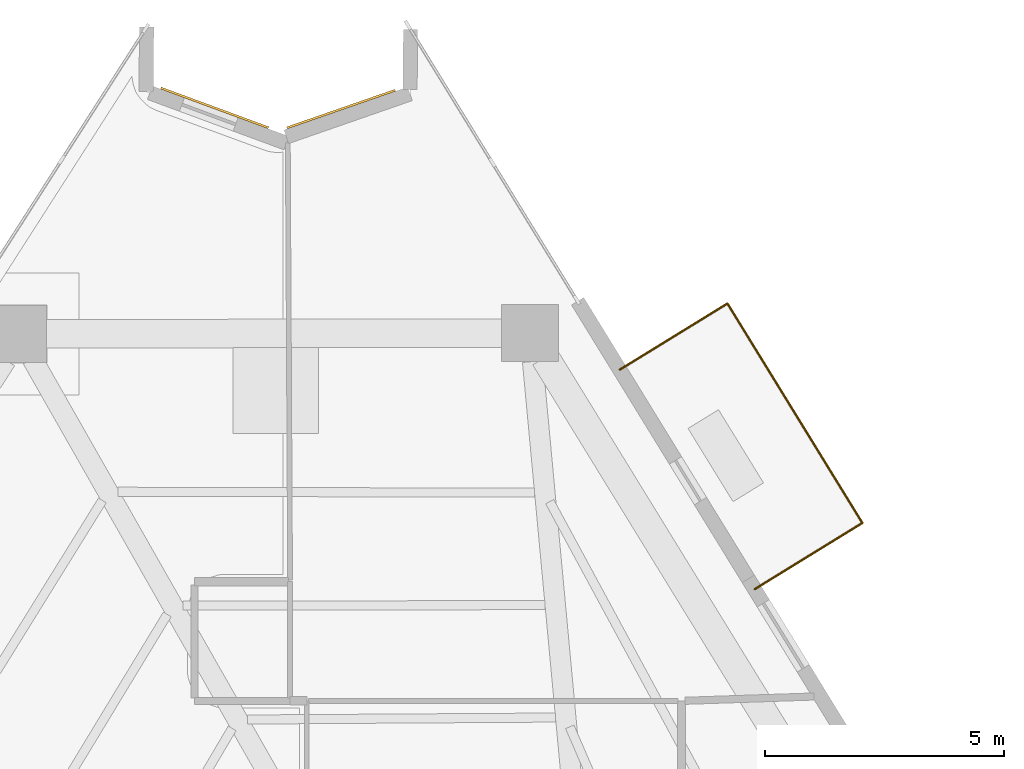
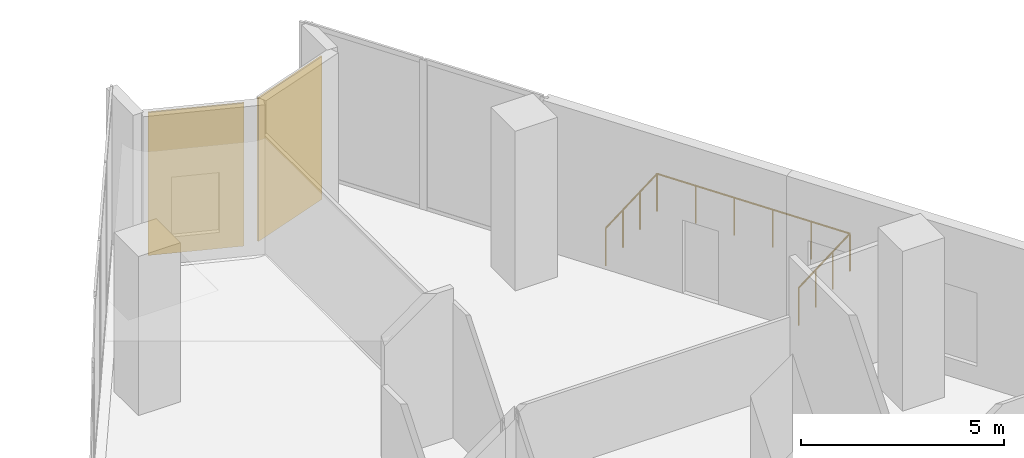
# One storey, part 13 of 13: 2 coverings, 1 railing.
"""IFC4 building model written with IfcOpenShell, lengths in metres."""

from ifc_helpers import new_model, si_unit, direction, frame, origin, origin_2d, place, context, subcontext, project, spatial, rectangle, circle, extrude, material, layer, layer_set, type_object, element, save


model = new_model("IFC4")

# Units and contexts
model_context = context("Model", 3, precision=1e-05, world=origin(), true_north=direction((0.0, 1.0)))
body_context = subcontext(model_context, "Body", "Model", "MODEL_VIEW")
ifc_project = project(units=[si_unit("LENGTHUNIT", "METRE"), si_unit("AREAUNIT", "SQUARE_METRE"), si_unit("VOLUMEUNIT", "CUBIC_METRE"), si_unit("PLANEANGLEUNIT", "RADIAN"), si_unit("MASSUNIT", "GRAM", prefix="KILO")], contexts=[model_context])

# Site, building, storey
site_placement = place(None, origin())
site = spatial("IfcSite", under=ifc_project, at=site_placement, CompositionType="ELEMENT")
building_placement = place(site_placement, origin())
building = spatial("IfcBuilding", under=site, at=building_placement, Name="Almagre Mirador Tower", CompositionType="ELEMENT")
storey_placement = place(building_placement, frame((0.0, 0.0, 100.199951171875)))
storey = spatial("IfcBuildingStorey", under=building, at=storey_placement, Name="L25", CompositionType="ELEMENT", Elevation=100.199951171875)

# Coverings
ifc_material_1 = material(Name="Almagre terracotta architectural cladding", Category="masonry")
ifc_layer = layer(ifc_material_1, 0.044921875)
ifc_layer_set = layer_set([ifc_layer], Name="Almagre terracotta architectural cladding")
covering_type = type_object("IfcCoveringType", Name="COV-CLAD-ALMAGRE", PredefinedType="CLADDING", material=ifc_layer_set)
for number, where, z_axis, x_axis, name in (
    (1, (35.21923828125, 41.92578125, 0.10009765625), (0.0, 0.0, 1.0), (0.938233615096, -0.3460024328, 0.0), "L25 almagre terracotta pier cladding"),
    (2, (37.867431640625, 41.90087890625, 0.10009765625), (0.0, 0.0, 1.0), (0.944588546124, 0.328256726558, 0.0), "L25 almagre terracotta pier cladding"),
):
    element("IfcCovering", number, at=place(storey_placement, frame(where, z_axis=z_axis, x_axis=x_axis)), inside=storey, type_object=covering_type, Name=name, PredefinedType="CLADDING", context=body_context, shape_type="SweptSolid", body=[
        extrude(rectangle(XDim=2.39990234375, YDim=0.044921875, at=origin_2d()), origin(), (0.0, 0.0, 1.0), 4.300048828125),
    ])

# Railing
ifc_material_2 = material(Name="Black anodized aluminium", Category="aluminium")
railing_type = type_object("IfcRailingType", Name="RLG-BAL-1150", PredefinedType="BALUSTRADE", material=ifc_material_2)
railing_placement = place(storey_placement, frame((46.533935546875, 31.840087890625, 0.0)))
element("IfcRailing", 3, at=railing_placement, inside=storey, type_object=railing_type, Name="L25 east balcony balustrade 2", PredefinedType="BALUSTRADE", context=body_context, shape_type="SweptSolid", body=[
    extrude(circle(Radius=0.02392578125, at=origin_2d()), frame((0.0, 0.0, 1.1259765625), z_axis=(0.851933345943, 0.523650240208, 0.0), x_axis=(-0.523650240208, 0.851933345943, 0.0)), (0.0, 0.0, 1.0), 2.650390625),
    extrude(circle(Radius=0.02392578125, at=origin_2d()), frame((2.258056640625, 1.387939453125, 1.1259765625), z_axis=(-0.523721491312, 0.85188954656, 0.0), x_axis=(-0.85188954656, -0.523721491312, 0.0)), (0.0, 0.0, 1.0), 5.399658203125),
    extrude(circle(Radius=0.02392578125, at=origin_2d()), frame((-0.56982421875, 5.98779296875, 1.1259765625), z_axis=(-0.851933345943, -0.523650240208, 0.0), x_axis=(0.523650240208, -0.851933345943, 0.0)), (0.0, 0.0, 1.0), 2.650390625),
    extrude(circle(Radius=0.02099609375, at=origin_2d()), origin(), (0.0, 0.0, 1.0), 1.101806640625),
    extrude(circle(Radius=0.02099609375, at=origin_2d()), frame((0.752685546875, 0.462646484375, 0.0)), (0.0, 0.0, 1.0), 1.101806640625),
    extrude(circle(Radius=0.02099609375, at=origin_2d()), frame((1.50537109375, 0.92529296875, 0.0)), (0.0, 0.0, 1.0), 1.101806640625),
    extrude(circle(Radius=0.02099609375, at=origin_2d()), frame((2.258056640625, 1.387939453125, 0.0)), (0.0, 0.0, 1.0), 1.101806640625),
    extrude(circle(Radius=0.02099609375, at=origin_2d()), frame((1.6923828125, 2.307861328125, 0.0)), (0.0, 0.0, 1.0), 1.101806640625),
    extrude(circle(Radius=0.02099609375, at=origin_2d()), frame((1.126953125, 3.227783203125, 0.0)), (0.0, 0.0, 1.0), 1.101806640625),
    extrude(circle(Radius=0.02099609375, at=origin_2d()), frame((0.561279296875, 4.14794921875, 0.0)), (0.0, 0.0, 1.0), 1.101806640625),
    extrude(circle(Radius=0.02099609375, at=origin_2d()), frame((-0.004150390625, 5.06787109375, 0.0)), (0.0, 0.0, 1.0), 1.101806640625),
    extrude(circle(Radius=0.02099609375, at=origin_2d()), frame((-0.56982421875, 5.98779296875, 0.0)), (0.0, 0.0, 1.0), 1.101806640625),
    extrude(circle(Radius=0.02099609375, at=origin_2d()), frame((-1.322509765625, 5.525146484375, 0.0)), (0.0, 0.0, 1.0), 1.101806640625),
    extrude(circle(Radius=0.02099609375, at=origin_2d()), frame((-2.0751953125, 5.0625, 0.0)), (0.0, 0.0, 1.0), 1.101806640625),
    extrude(circle(Radius=0.02099609375, at=origin_2d()), frame((-2.827880859375, 4.599853515625, 0.0)), (0.0, 0.0, 1.0), 1.101806640625),
])

save(model, "model.ifc")
